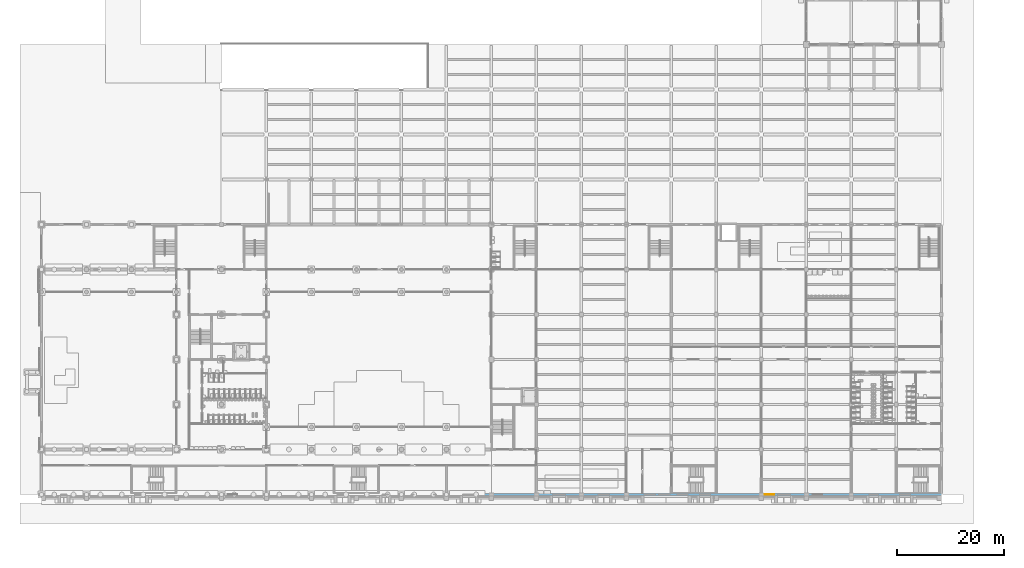
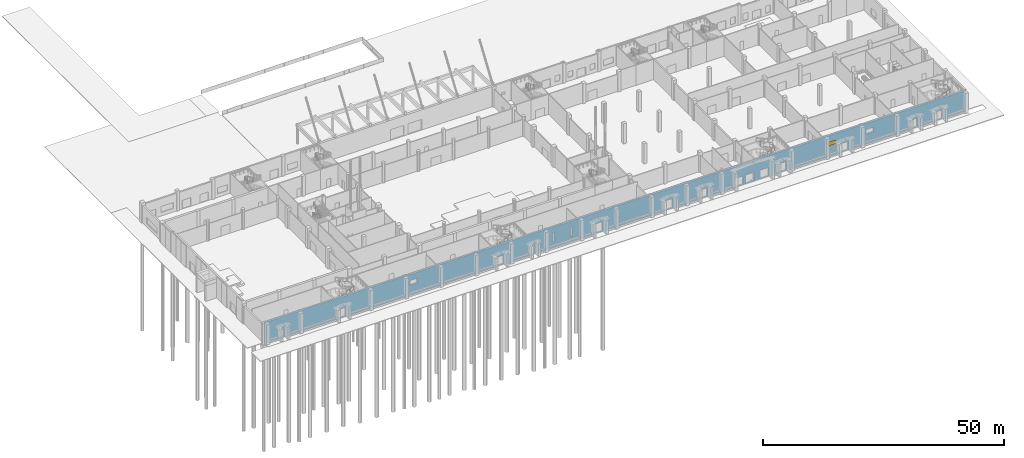
# One storey, part 25 of 74: 1 window, 19 openings, plus 1 element that does not belong to this part.
"""IFC4 building model written with IfcOpenShell, lengths in metres."""

from ifc_helpers import new_model, si_unit, direction, frame, frame_2d, origin, place, context, subcontext, project, spatial, rectangle, extrude, material, layer, layer_set, type_object, element, fill, save


model = new_model("IFC4")

# Units and contexts
model_context = context("Model", 3, precision=1e-05, world=origin(), true_north=direction((0.0, 1.0)))
body_context = subcontext(model_context, "Body", "Model", "MODEL_VIEW")
ifc_project = project(units=[si_unit("LENGTHUNIT", "METRE"), si_unit("AREAUNIT", "SQUARE_METRE"), si_unit("VOLUMEUNIT", "CUBIC_METRE"), si_unit("PLANEANGLEUNIT", "RADIAN"), si_unit("MASSUNIT", "GRAM", prefix="KILO")], contexts=[model_context])

# Site, building, storey
site_placement = place(None, origin())
site = spatial("IfcSite", under=ifc_project, at=site_placement, CompositionType="ELEMENT")
building_placement = place(site_placement, origin())
building = spatial("IfcBuilding", under=site, at=building_placement, Name="Rulbaag Community and Learning Centre", CompositionType="ELEMENT")
storey_placement = place(building_placement, origin())
storey = spatial("IfcBuildingStorey", under=building, at=storey_placement, Name="L00", CompositionType="ELEMENT", Elevation=0.0)

# Wall, openings, window
ifc_material_1 = material(Name="Concrete M40", Category="concrete")
ifc_layer = layer(ifc_material_1, 0.449951171875)
ifc_layer_set = layer_set([ifc_layer], Name="W12 Rail-side wall 450 Concrete M40")
wall_type = type_object("IfcWallType", Name="W12 Rail-side wall 450 Concrete M40", PredefinedType="SOLIDWALL", material=ifc_layer_set)
wall_placement = place(storey_placement, frame((0.0, 0.0, -0.300048828125), z_axis=(0.0, 0.0, 1.0), x_axis=(1.0, 0.0, 0.0)))
wall = element("IfcWall", 1, at=wall_placement, inside=storey, type_object=wall_type, Name="WL-RAIL-L00", PredefinedType="SOLIDWALL", context=body_context, shape_type="SweptSolid", body=[
    extrude(rectangle(XDim=168.0, YDim=0.449951171875, at=frame_2d((84.0, 0.0))), origin(), (0.0, 0.0, 1.0), 5.400146484375),
])
opening_1_placement = place(wall_placement, frame((34.800048828125, 0.0, 2.699951171875)))
element("IfcOpeningElement", 2, at=opening_1_placement, cuts=wall, Name="Opening WN7", PredefinedType="OPENING", context=body_context, shape_type="SweptSolid", body=[
    extrude(rectangle(XDim=1.800048828125, YDim=1.199951171875, at=frame_2d((0.89990234375, 0.60009765625))), frame((0.0, 0.23486328125, 0.0), z_axis=(0.0, -1.0, 0.0), x_axis=(1.0, 0.0, 0.0)), (0.0, 0.0, 1.0), 0.469970703125),
])
opening_2_placement = place(wall_placement, frame((69.074951171875, 0.0, 1.5)))
element("IfcOpeningElement", 3, at=opening_2_placement, cuts=wall, Name="Opening WN6", PredefinedType="OPENING", context=body_context, shape_type="SweptSolid", body=[
    extrude(rectangle(XDim=0.449951171875, YDim=2.39990234375, at=frame_2d((0.22509765625, 1.199951171875))), frame((0.0, 0.23486328125, 0.0), z_axis=(0.0, -1.0, 0.0), x_axis=(1.0, 0.0, 0.0)), (0.0, 0.0, 1.0), 0.469970703125),
])
opening_3_placement = place(wall_placement, frame((73.27490234375, 0.0, 1.5)))
element("IfcOpeningElement", 4, at=opening_3_placement, cuts=wall, Name="Opening WN6", PredefinedType="OPENING", context=body_context, shape_type="SweptSolid", body=[
    extrude(rectangle(XDim=0.449951171875, YDim=2.39990234375, at=frame_2d((0.22509765625, 1.199951171875))), frame((0.0, 0.23486328125, 0.0), z_axis=(0.0, -1.0, 0.0), x_axis=(1.0, 0.0, 0.0)), (0.0, 0.0, 1.0), 0.469970703125),
])
opening_4_placement = place(wall_placement, frame((135.0, 0.0, 2.699951171875)))
opening_4 = element("IfcOpeningElement", 5, at=opening_4_placement, cuts=wall, Name="Opening WN7", PredefinedType="OPENING", context=body_context, shape_type="SweptSolid", body=[
    extrude(rectangle(XDim=1.800048828125, YDim=1.199951171875, at=frame_2d((0.89990234375, 0.60009765625))), frame((0.0, 0.23486328125, 0.0), z_axis=(0.0, -1.0, 0.0), x_axis=(1.0, 0.0, 0.0)), (0.0, 0.0, 1.0), 0.469970703125),
])
opening_5_placement = place(wall_placement, frame((144.0, 0.0, 2.699951171875)))
element("IfcOpeningElement", 6, at=opening_5_placement, cuts=wall, Name="Opening WN7", PredefinedType="OPENING", context=body_context, shape_type="SweptSolid", body=[
    extrude(rectangle(XDim=1.800048828125, YDim=1.199951171875, at=frame_2d((0.89990234375, 0.60009765625))), frame((0.0, 0.23486328125, 0.0), z_axis=(0.0, -1.0, 0.0), x_axis=(1.0, 0.0, 0.0)), (0.0, 0.0, 1.0), 0.469970703125),
])
opening_6_placement = place(wall_placement, frame((114.60009765625, 0.0, 0.300048828125), z_axis=(0.0, 0.0, 1.0), x_axis=(-1.0, 0.0, 0.0)))
element("IfcOpeningElement", 7, at=opening_6_placement, cuts=wall, Name="Opening L00-D098", PredefinedType="OPENING", context=body_context, shape_type="SweptSolid", body=[
    extrude(rectangle(XDim=2.10009765625, YDim=2.199951171875, at=frame_2d((1.050048828125, 1.10009765625))), frame((0.0, 0.23486328125, 0.0), z_axis=(0.0, -1.0, 0.0), x_axis=(1.0, 0.0, 0.0)), (0.0, 0.0, 1.0), 0.469970703125),
])
opening_7_placement = place(wall_placement, frame((117.300048828125, 0.0, 0.300048828125), z_axis=(0.0, 0.0, 1.0), x_axis=(-1.0, 0.0, 0.0)))
element("IfcOpeningElement", 8, at=opening_7_placement, cuts=wall, Name="Opening L00-D100", PredefinedType="OPENING", context=body_context, shape_type="SweptSolid", body=[
    extrude(rectangle(XDim=2.10009765625, YDim=2.199951171875, at=frame_2d((1.050048828125, 1.10009765625))), frame((0.0, 0.23486328125, 0.0), z_axis=(0.0, -1.0, 0.0), x_axis=(1.0, 0.0, 0.0)), (0.0, 0.0, 1.0), 0.469970703125),
])
opening_8_placement = place(wall_placement, frame((106.050048828125, 0.0, 0.300048828125), z_axis=(0.0, 0.0, 1.0), x_axis=(-1.0, 0.0, 0.0)))
element("IfcOpeningElement", 9, at=opening_8_placement, cuts=wall, Name="Opening L00-D094", PredefinedType="OPENING", context=body_context, shape_type="SweptSolid", body=[
    extrude(rectangle(XDim=2.10009765625, YDim=2.199951171875, at=frame_2d((1.050048828125, 1.10009765625))), frame((0.0, 0.23486328125, 0.0), z_axis=(0.0, -1.0, 0.0), x_axis=(1.0, 0.0, 0.0)), (0.0, 0.0, 1.0), 0.469970703125),
])
opening_9_placement = place(wall_placement, frame((57.25, 0.0, 0.300048828125), z_axis=(0.0, 0.0, 1.0), x_axis=(-1.0, 0.0, 0.0)))
element("IfcOpeningElement", 10, at=opening_9_placement, cuts=wall, Name="Opening L00-D066", PredefinedType="OPENING", context=body_context, shape_type="SweptSolid", body=[
    extrude(rectangle(XDim=2.10009765625, YDim=2.199951171875, at=frame_2d((1.050048828125, 1.10009765625))), frame((0.0, 0.23486328125, 0.0), z_axis=(0.0, -1.0, 0.0), x_axis=(1.0, 0.0, 0.0)), (0.0, 0.0, 1.0), 0.469970703125),
])
opening_10_placement = place(wall_placement, frame((120.75, 0.0, 0.300048828125), z_axis=(0.0, 0.0, 1.0), x_axis=(-1.0, 0.0, 0.0)))
element("IfcOpeningElement", 11, at=opening_10_placement, cuts=wall, Name="Opening L00-D106", PredefinedType="OPENING", context=body_context, shape_type="SweptSolid", body=[
    extrude(rectangle(XDim=2.10009765625, YDim=2.199951171875, at=frame_2d((1.050048828125, 1.10009765625))), frame((0.0, 0.23486328125, 0.0), z_axis=(0.0, -1.0, 0.0), x_axis=(1.0, 0.0, 0.0)), (0.0, 0.0, 1.0), 0.469970703125),
])
opening_11_placement = place(wall_placement, frame((124.9501953125, 0.0, 0.300048828125), z_axis=(0.0, 0.0, 1.0), x_axis=(-1.0, 0.0, 0.0)))
element("IfcOpeningElement", 12, at=opening_11_placement, cuts=wall, Name="Opening L00-D110", PredefinedType="OPENING", context=body_context, shape_type="SweptSolid", body=[
    extrude(rectangle(XDim=2.10009765625, YDim=2.199951171875, at=frame_2d((1.050048828125, 1.10009765625))), frame((0.0, 0.23486328125, 0.0), z_axis=(0.0, -1.0, 0.0), x_axis=(1.0, 0.0, 0.0)), (0.0, 0.0, 1.0), 0.469970703125),
])
opening_12_placement = place(wall_placement, frame((19.4501953125, 0.0, 0.300048828125), z_axis=(0.0, 0.0, 1.0), x_axis=(-1.0, 0.0, 0.0)))
element("IfcOpeningElement", 13, at=opening_12_placement, cuts=wall, Name="Opening L00-D013", PredefinedType="OPENING", context=body_context, shape_type="SweptSolid", body=[
    extrude(rectangle(XDim=2.10009765625, YDim=2.199951171875, at=frame_2d((1.050048828125, 1.10009765625))), frame((0.0, 0.23486328125, 0.0), z_axis=(0.0, -1.0, 0.0), x_axis=(1.0, 0.0, 0.0)), (0.0, 0.0, 1.0), 0.469970703125),
])
opening_13_placement = place(wall_placement, frame((162.25, 0.0, 0.300048828125), z_axis=(0.0, 0.0, 1.0), x_axis=(-1.0, 0.0, 0.0)))
element("IfcOpeningElement", 14, at=opening_13_placement, cuts=wall, Name="Opening L00-D177", PredefinedType="OPENING", context=body_context, shape_type="SweptSolid", body=[
    extrude(rectangle(XDim=2.10009765625, YDim=2.199951171875, at=frame_2d((1.050048828125, 1.10009765625))), frame((0.0, 0.23486328125, 0.0), z_axis=(0.0, -1.0, 0.0), x_axis=(1.0, 0.0, 0.0)), (0.0, 0.0, 1.0), 0.469970703125),
])
opening_14_placement = place(wall_placement, frame((4.800048828125, 0.0, 0.300048828125), z_axis=(0.0, 0.0, 1.0), x_axis=(-1.0, 0.0, 0.0)))
element("IfcOpeningElement", 15, at=opening_14_placement, cuts=wall, Name="Opening L00-D005", PredefinedType="OPENING", context=body_context, shape_type="SweptSolid", body=[
    extrude(rectangle(XDim=1.199951171875, YDim=2.199951171875, at=frame_2d((0.60009765625, 1.10009765625))), frame((0.0, 0.23486328125, 0.0), z_axis=(0.0, -1.0, 0.0), x_axis=(1.0, 0.0, 0.0)), (0.0, 0.0, 1.0), 0.469970703125),
])
opening_15_placement = place(wall_placement, frame((64.800048828125, 0.0, 0.300048828125), z_axis=(0.0, 0.0, 1.0), x_axis=(-1.0, 0.0, 0.0)))
element("IfcOpeningElement", 16, at=opening_15_placement, cuts=wall, Name="Opening L00-D072", PredefinedType="OPENING", context=body_context, shape_type="SweptSolid", body=[
    extrude(rectangle(XDim=1.199951171875, YDim=2.199951171875, at=frame_2d((0.60009765625, 1.10009765625))), frame((0.0, 0.23486328125, 0.0), z_axis=(0.0, -1.0, 0.0), x_axis=(1.0, 0.0, 0.0)), (0.0, 0.0, 1.0), 0.469970703125),
])
opening_16_placement = place(wall_placement, frame((81.0, 0.0, 0.300048828125), z_axis=(0.0, 0.0, 1.0), x_axis=(-1.0, 0.0, 0.0)))
element("IfcOpeningElement", 17, at=opening_16_placement, cuts=wall, Name="Opening L00-D075", PredefinedType="OPENING", context=body_context, shape_type="SweptSolid", body=[
    extrude(rectangle(XDim=2.39990234375, YDim=2.39990234375, at=frame_2d((1.199951171875, 1.199951171875))), frame((0.0, 0.23486328125, 0.0), z_axis=(0.0, -1.0, 0.0), x_axis=(1.0, 0.0, 0.0)), (0.0, 0.0, 1.0), 0.469970703125),
])
opening_17_placement = place(wall_placement, frame((97.7998046875, 0.0, 0.300048828125), z_axis=(0.0, 0.0, 1.0), x_axis=(-1.0, 0.0, 0.0)))
element("IfcOpeningElement", 18, at=opening_17_placement, cuts=wall, Name="Opening L00-D091", PredefinedType="OPENING", context=body_context, shape_type="SweptSolid", body=[
    extrude(rectangle(XDim=2.39990234375, YDim=2.39990234375, at=frame_2d((1.199951171875, 1.199951171875))), frame((0.0, 0.23486328125, 0.0), z_axis=(0.0, -1.0, 0.0), x_axis=(1.0, 0.0, 0.0)), (0.0, 0.0, 1.0), 0.469970703125),
])
opening_18_placement = place(wall_placement, frame((139.7998046875, 0.0, 0.300048828125), z_axis=(0.0, 0.0, 1.0), x_axis=(-1.0, 0.0, 0.0)))
element("IfcOpeningElement", 19, at=opening_18_placement, cuts=wall, Name="Opening L00-D122", PredefinedType="OPENING", context=body_context, shape_type="SweptSolid", body=[
    extrude(rectangle(XDim=2.39990234375, YDim=2.10009765625, at=frame_2d((1.199951171875, 1.050048828125))), frame((0.0, 0.23486328125, 0.0), z_axis=(0.0, -1.0, 0.0), x_axis=(1.0, 0.0, 0.0)), (0.0, 0.0, 1.0), 0.469970703125),
])
opening_19_placement = place(wall_placement, frame((156.300048828125, 0.0, 0.300048828125), z_axis=(0.0, 0.0, 1.0), x_axis=(-1.0, 0.0, 0.0)))
element("IfcOpeningElement", 20, at=opening_19_placement, cuts=wall, Name="Opening L00-D155", PredefinedType="OPENING", context=body_context, shape_type="SweptSolid", body=[
    extrude(rectangle(XDim=1.800048828125, YDim=2.199951171875, at=frame_2d((0.89990234375, 1.10009765625))), frame((0.0, 0.23486328125, 0.0), z_axis=(0.0, -1.0, 0.0), x_axis=(1.0, 0.0, 0.0)), (0.0, 0.0, 1.0), 0.469970703125),
])
ifc_material_2 = material(Name="Aluminium", Category="aluminium")
window_type = type_object("IfcWindowType", Name="LV-18", PartitioningType="SINGLE_PANEL", PredefinedType="WINDOW", material=ifc_material_2)
window_placement = place(opening_4_placement, origin())
window = element("IfcWindow", 21, at=window_placement, inside=storey, type_object=window_type, Name="Window WN7", OverallHeight=1.199951171875, OverallWidth=1.800048828125, PartitioningType="SINGLE_PANEL", PredefinedType="WINDOW", context=body_context, shape_type="SweptSolid", body=[
    extrude(rectangle(XDim=1.800048828125, YDim=1.199951171875, at=frame_2d((0.89990234375, 0.60009765625))), frame((0.0, 0.030029296875, 0.0), z_axis=(0.0, -1.0, 0.0), x_axis=(1.0, 0.0, 0.0)), (0.0, 0.0, 1.0), 0.06005859375),
])
fill(opening_4, window)

save(model, "model.ifc")
